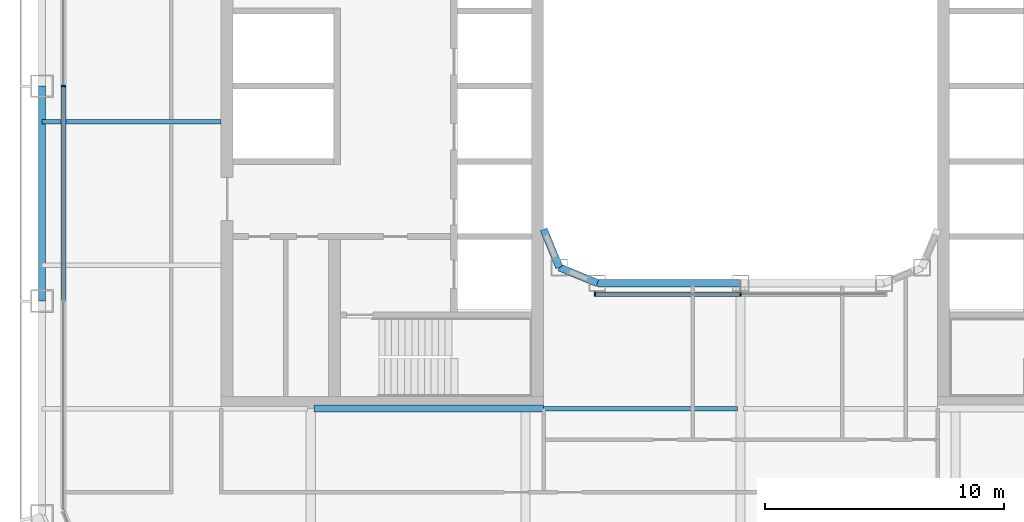
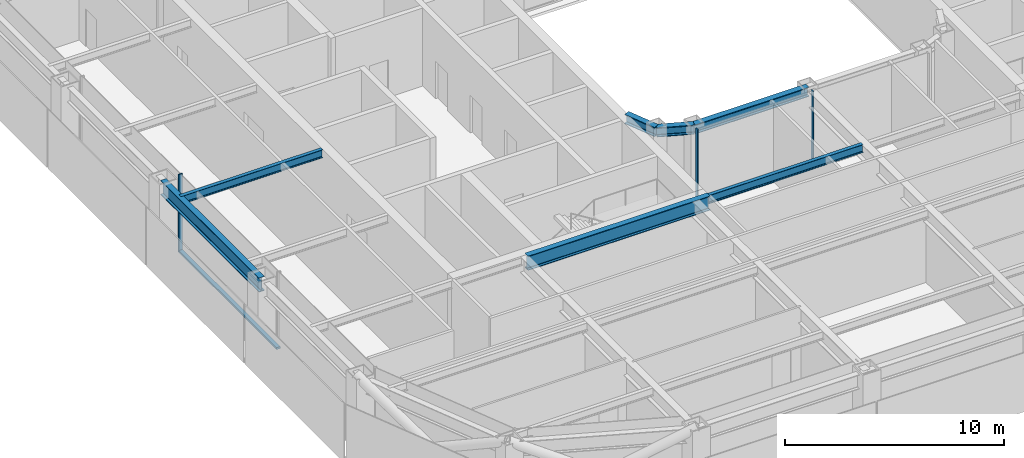
# One storey, part 3 of 21: 7 beams, 5 members, 2 elements without a shape of their own.
"""IFC4 building model written with IfcOpenShell, lengths in metres."""

from ifc_helpers import new_model, si_unit, direction, frame, origin, origin_2d, place, context, subcontext, project, spatial, rectangle, i_section, extrude, material, layer, layer_set, material_profile, profile_set, type_object, element, aggregate, save


model = new_model("IFC4")

# Units and contexts
model_context = context("Model", 3, precision=1e-05, world=origin(), true_north=direction((0.0, 1.0)))
body_context = subcontext(model_context, "Body", "Model", "MODEL_VIEW")
ifc_project = project(units=[si_unit("LENGTHUNIT", "METRE"), si_unit("AREAUNIT", "SQUARE_METRE"), si_unit("VOLUMEUNIT", "CUBIC_METRE"), si_unit("PLANEANGLEUNIT", "RADIAN"), si_unit("MASSUNIT", "GRAM", prefix="KILO")], contexts=[model_context])

# Site, building, storey
site_placement = place(None, origin())
site = spatial("IfcSite", under=ifc_project, at=site_placement, CompositionType="ELEMENT")
building_placement = place(site_placement, origin())
building = spatial("IfcBuilding", under=site, at=building_placement, Name="Siwar Civic Tower", CompositionType="ELEMENT")
storey_placement = place(building_placement, frame((0.0, 0.0, 104.699951171875)))
storey = spatial("IfcBuildingStorey", under=building, at=storey_placement, Name="L22", CompositionType="ELEMENT", Elevation=104.699951171875)

# Curtain wall, member
ifc_material_1 = material(Name="Aluminium and glass", Category="aluminium")
ifc_layer_1 = layer(ifc_material_1, 0.199951171875)
ifc_layer_set_1 = layer_set([ifc_layer_1], Name="Aluminium and glass")
curtain_wall_type_1 = type_object("IfcCurtainWallType", Name="ENV-CW-B", PredefinedType="NOTDEFINED", material=ifc_layer_set_1)
curtain_wall_1_placement = place(storey_placement, origin())
curtain_wall_1 = element("IfcCurtainWall", 1, at=curtain_wall_1_placement, inside=storey, type_object=curtain_wall_type_1, Name="Curtain wall B W", PredefinedType="NOTDEFINED")
ifc_material_2 = material(Name="Aluminium 6063-T6", Category="aluminium")
ifc_material_profile_1 = material_profile(ifc_material_2, rectangle(XDim=0.199951171875, YDim=0.06494140625, at=origin_2d()), Name="AL 200x65")
ifc_profile_set_1 = profile_set([ifc_material_profile_1], Name="Aluminium 6063-T6")
member_type_1 = type_object("IfcMemberType", Name="ENV-MULLION-B", PredefinedType="MULLION", material=ifc_profile_set_1)
member_1_placement = place(storey_placement, frame((-28.35009765625, 0.0, 0.0), z_axis=(0.0, 0.0, 1.0), x_axis=(1.0, 0.0, 0.0)))
member_1 = element("IfcMember", 2, at=member_1_placement, type_object=member_type_1, Name="Mullion B W 3", PredefinedType="MULLION", context=body_context, shape_type="SweptSolid", body=[
    extrude(rectangle(XDim=0.199951171875, YDim=0.06494140625, at=origin_2d()), origin(), (0.0, 0.0, 1.0), 4.35009765625),
])

# Curtain wall, members
ifc_material_3 = material(Name="Aluminium and glass", Category="aluminium")
ifc_layer_2 = layer(ifc_material_3, 0.179931640625)
ifc_layer_set_2 = layer_set([ifc_layer_2], Name="Aluminium and glass")
curtain_wall_type_2 = type_object("IfcCurtainWallType", Name="ENV-CW-W", PredefinedType="NOTDEFINED", material=ifc_layer_set_2)
curtain_wall_2_placement = place(storey_placement, origin())
curtain_wall_2 = element("IfcCurtainWall", 3, at=curtain_wall_2_placement, inside=storey, type_object=curtain_wall_type_2, Name="Curtain wall W WS", PredefinedType="NOTDEFINED")
ifc_material_4 = material(Name="Aluminium 6063-T6", Category="aluminium")
ifc_material_profile_2 = material_profile(ifc_material_4, rectangle(XDim=0.179931640625, YDim=0.06005859375, at=origin_2d()), Name="AL 180x60")
ifc_profile_set_2 = profile_set([ifc_material_profile_2], Name="Aluminium 6063-T6")
member_type_2 = type_object("IfcMemberType", Name="ENV-MULLION-W", PredefinedType="MULLION", material=ifc_profile_set_2)
member_2_placement = place(storey_placement, frame((-6.091552734375, -8.7099609375, 0.0), z_axis=(0.0, 0.0, 1.0), x_axis=(0.0, 1.0, 0.0)))
member_2 = element("IfcMember", 4, at=member_2_placement, type_object=member_type_2, Name="Mullion W WS 1", PredefinedType="MULLION", context=body_context, shape_type="SweptSolid", body=[
    extrude(rectangle(XDim=0.179931640625, YDim=0.06005859375, at=origin_2d()), origin(), (0.0, 0.0, 1.0), 4.35009765625),
])
member_3_placement = place(storey_placement, frame((0.0, -8.7099609375, 0.0), z_axis=(0.0, 0.0, 1.0), x_axis=(0.0, 1.0, 0.0)))
member_3 = element("IfcMember", 5, at=member_3_placement, type_object=member_type_2, Name="Mullion W WS 2", PredefinedType="MULLION", context=body_context, shape_type="SweptSolid", body=[
    extrude(rectangle(XDim=0.179931640625, YDim=0.06005859375, at=origin_2d()), origin(), (0.0, 0.0, 1.0), 4.35009765625),
])

# Member
ifc_material_5 = material(Name="Aluminium 6063-T6", Category="aluminium")
ifc_material_profile_3 = material_profile(ifc_material_5, rectangle(XDim=0.199951171875, YDim=0.110107421875, at=origin_2d()), Name="AL 200x110")
ifc_profile_set_3 = profile_set([ifc_material_profile_3], Name="Aluminium 6063-T6")
member_type_3 = type_object("IfcMemberType", Name="ENV-TRANSOM-B", PredefinedType="USERDEFINED", material=ifc_profile_set_3)
member_4_placement = place(storey_placement, frame((-28.35009765625, -0.032470703125, 0.054931640625), z_axis=(0.0, -1.0, 0.0), x_axis=(1.0, 0.0, 0.0)))
member_4 = element("IfcMember", 6, at=member_4_placement, type_object=member_type_3, Name="Transom B W 3", ObjectType="TRANSOM", PredefinedType="USERDEFINED", context=body_context, shape_type="SweptSolid", body=[
    extrude(rectangle(XDim=0.199951171875, YDim=0.110107421875, at=origin_2d()), origin(), (0.0, 0.0, 1.0), 8.93505859375),
])

aggregate(curtain_wall_1, [member_1, member_4])

ifc_material_6 = material(Name="Aluminium 6063-T6", Category="aluminium")
ifc_material_profile_4 = material_profile(ifc_material_6, rectangle(XDim=0.179931640625, YDim=0.10009765625, at=origin_2d()), Name="AL 180x100")
ifc_profile_set_4 = profile_set([ifc_material_profile_4], Name="Aluminium 6063-T6")
member_type_4 = type_object("IfcMemberType", Name="ENV-TRANSOM-W", PredefinedType="USERDEFINED", material=ifc_profile_set_4)
member_5_placement = place(storey_placement, frame((-6.0615234375, -8.7099609375, 0.050048828125), z_axis=(1.0, 0.0, 0.0), x_axis=(0.0, 1.0, 0.0)))
member_5 = element("IfcMember", 7, at=member_5_placement, type_object=member_type_4, Name="Transom W WS 1", ObjectType="TRANSOM", PredefinedType="USERDEFINED", context=body_context, shape_type="SweptSolid", body=[
    extrude(rectangle(XDim=0.179931640625, YDim=0.10009765625, at=origin_2d()), origin(), (0.0, 0.0, 1.0), 6.031494140625),
])

aggregate(curtain_wall_2, [member_2, member_3, member_5])

# Beams
ifc_material_7 = material(Name="Steel S355", Category="steel")
ifc_material_profile_5 = material_profile(ifc_material_7, i_section(OverallWidth=0.18994140625, OverallDepth=0.449951171875, WebThickness=0.009521484375, FlangeThickness=0.0146484375, FilletRadius=0.02099609375, at=origin_2d()), Name="IPE450")
ifc_profile_set_5 = profile_set([ifc_material_profile_5], Name="Steel S355")
beam_type_1 = type_object("IfcBeamType", Name="STR-FB-IPE450", PredefinedType="JOIST", material=ifc_profile_set_5)
beam_1_placement = place(storey_placement, frame((-8.25, -13.5, 4.125), z_axis=(1.0, 0.0, 0.0), x_axis=(0.0, 1.0, 0.0)))
element("IfcBeam", 8, at=beam_1_placement, inside=storey, type_object=beam_type_1, Name="L22/bm/F016", PredefinedType="JOIST", context=body_context, shape_type="SweptSolid", body=[
    extrude(i_section(OverallWidth=0.18994140625, OverallDepth=0.449951171875, WebThickness=0.009521484375, FlangeThickness=0.0146484375, FilletRadius=0.02099609375, at=origin_2d()), origin(), (0.0, 0.0, 1.0), 8.1201171875),
])
beam_2_placement = place(storey_placement, frame((-29.25, -1.5, 4.125), z_axis=(1.0, 0.0, 0.0), x_axis=(0.0, 1.0, 0.0)))
element("IfcBeam", 9, at=beam_2_placement, inside=storey, type_object=beam_type_1, Name="L22/bm/F023", PredefinedType="JOIST", context=body_context, shape_type="SweptSolid", body=[
    extrude(i_section(OverallWidth=0.18994140625, OverallDepth=0.449951171875, WebThickness=0.009521484375, FlangeThickness=0.0146484375, FilletRadius=0.02099609375, at=origin_2d()), origin(), (0.0, 0.0, 1.0), 7.5),
])
ifc_material_8 = material(Name="Steel S355", Category="steel")
ifc_material_profile_6 = material_profile(ifc_material_8, i_section(OverallWidth=0.300048828125, OverallDepth=0.800048828125, WebThickness=0.017578125, FlangeThickness=0.032958984375, FilletRadius=0.030029296875, at=origin_2d()), Name="HEB800")
ifc_profile_set_6 = profile_set([ifc_material_profile_6], Name="Steel S355")
beam_type_2 = type_object("IfcBeamType", Name="STR-PG-HEB800", PredefinedType="BEAM", material=ifc_profile_set_6)
beam_3_placement = place(storey_placement, frame((-17.8701171875, -13.5, 3.949951171875), z_axis=(1.0, 0.0, 0.0), x_axis=(0.0, 1.0, 0.0)))
element("IfcBeam", 10, at=beam_3_placement, inside=storey, type_object=beam_type_2, Name="L22/bm/F015", PredefinedType="BEAM", context=body_context, shape_type="SweptSolid", body=[
    extrude(i_section(OverallWidth=0.300048828125, OverallDepth=0.800048828125, WebThickness=0.017578125, FlangeThickness=0.032958984375, FilletRadius=0.030029296875, at=origin_2d()), origin(), (0.0, 0.0, 1.0), 9.6201171875),
])
ifc_material_9 = material(Name="Steel S355", Category="steel")
ifc_material_profile_7 = material_profile(ifc_material_9, i_section(OverallWidth=0.305908203125, OverallDepth=0.52392578125, WebThickness=0.02099609375, FlangeThickness=0.0400390625, FilletRadius=0.027099609375, at=origin_2d()), Name="HEM500")
ifc_profile_set_7 = profile_set([ifc_material_profile_7], Name="Steel S355")
beam_type_3 = type_object("IfcBeamType", Name="STR-RB-HEM500", PredefinedType="BEAM", material=ifc_profile_set_7)
beam_4_placement = place(storey_placement, frame((-7.591064453125, -7.591064453125, 4.088134765625), z_axis=(0.923901072997, -0.382631424892, 0.0), x_axis=(0.382631424892, 0.923901072997, 0.0)))
element("IfcBeam", 11, at=beam_4_placement, inside=storey, type_object=beam_type_3, Name="L22/bm/RS0", PredefinedType="BEAM", context=body_context, shape_type="SweptSolid", body=[
    extrude(i_section(OverallWidth=0.305908203125, OverallDepth=0.52392578125, WebThickness=0.02099609375, FlangeThickness=0.0400390625, FilletRadius=0.027099609375, at=origin_2d()), origin(), (0.0, 0.0, 1.0), 1.72216796875),
])
beam_5_placement = place(storey_placement, frame((-6.0, -8.25, 4.088134765625), z_axis=(1.0, 0.0, 0.0), x_axis=(0.0, 1.0, 0.0)))
element("IfcBeam", 12, at=beam_5_placement, inside=storey, type_object=beam_type_3, Name="L22/bm/RS1", PredefinedType="BEAM", context=body_context, shape_type="SweptSolid", body=[
    extrude(i_section(OverallWidth=0.305908203125, OverallDepth=0.52392578125, WebThickness=0.02099609375, FlangeThickness=0.0400390625, FilletRadius=0.027099609375, at=origin_2d()), origin(), (0.0, 0.0, 1.0), 6.0),
])
beam_6_placement = place(storey_placement, frame((-7.591064453125, -7.591064453125, 4.088134765625), z_axis=(-0.382631424892, 0.923901072997, 0.0), x_axis=(-0.923901072997, -0.382631424892, 0.0)))
element("IfcBeam", 13, at=beam_6_placement, inside=storey, type_object=beam_type_3, Name="L22/bm/RSEW", PredefinedType="BEAM", context=body_context, shape_type="SweptSolid", body=[
    extrude(i_section(OverallWidth=0.305908203125, OverallDepth=0.52392578125, WebThickness=0.02099609375, FlangeThickness=0.0400390625, FilletRadius=0.027099609375, at=origin_2d()), origin(), (0.0, 0.0, 1.0), 1.72216796875),
])
ifc_material_10 = material(Name="Steel S355", Category="steel")
ifc_material_profile_8 = material_profile(ifc_material_10, i_section(OverallWidth=0.300048828125, OverallDepth=0.800048828125, WebThickness=0.017578125, FlangeThickness=0.032958984375, FilletRadius=0.030029296875, at=origin_2d()), Name="HEB800")
ifc_profile_set_8 = profile_set([ifc_material_profile_8], Name="Steel S355")
beam_type_4 = type_object("IfcBeamType", Name="STR-SB-HEB800", PredefinedType="BEAM", material=ifc_profile_set_8)
beam_7_placement = place(storey_placement, frame((-29.25, 0.0, 3.949951171875), z_axis=(0.0, -1.0, 0.0), x_axis=(1.0, 0.0, 0.0)))
element("IfcBeam", 14, at=beam_7_placement, inside=storey, type_object=beam_type_4, Name="L22/bm/SW-2", PredefinedType="BEAM", context=body_context, shape_type="SweptSolid", body=[
    extrude(i_section(OverallWidth=0.300048828125, OverallDepth=0.800048828125, WebThickness=0.017578125, FlangeThickness=0.032958984375, FilletRadius=0.030029296875, at=origin_2d()), origin(), (0.0, 0.0, 1.0), 9.0),
])

save(model, "model.ifc")
